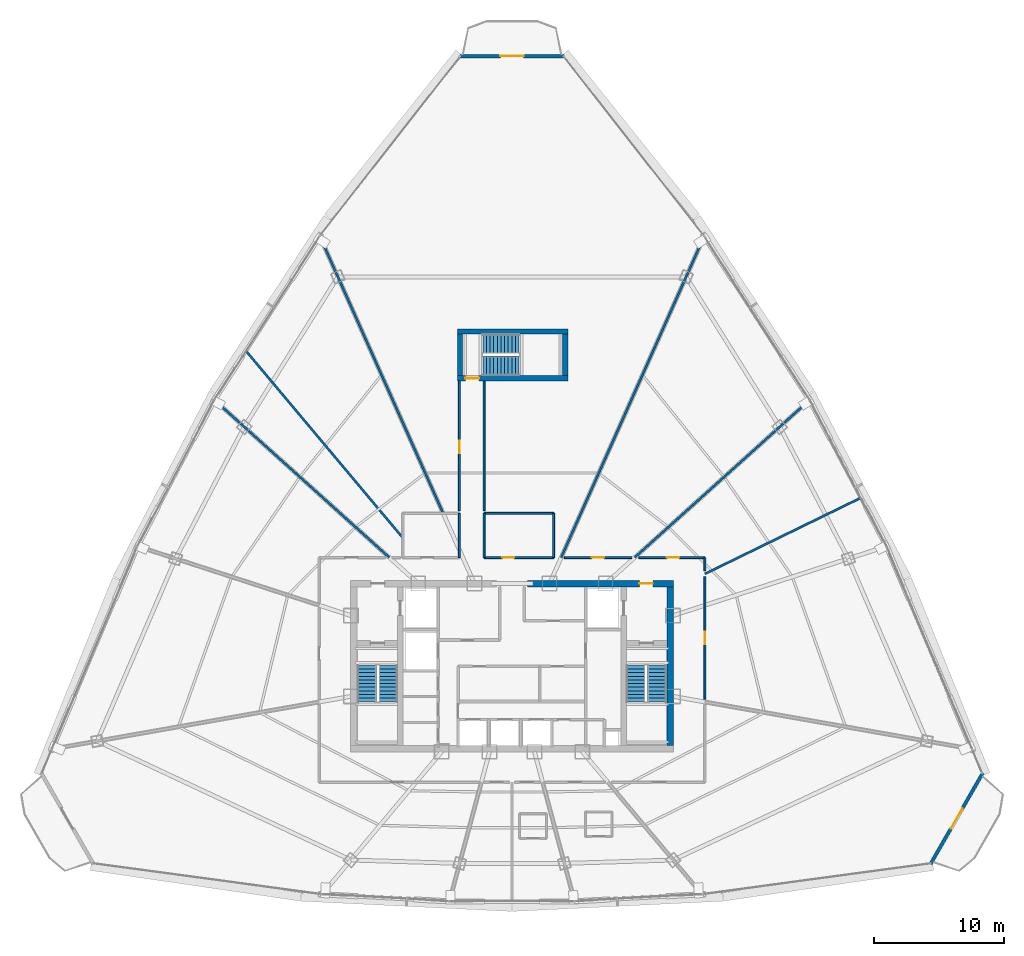
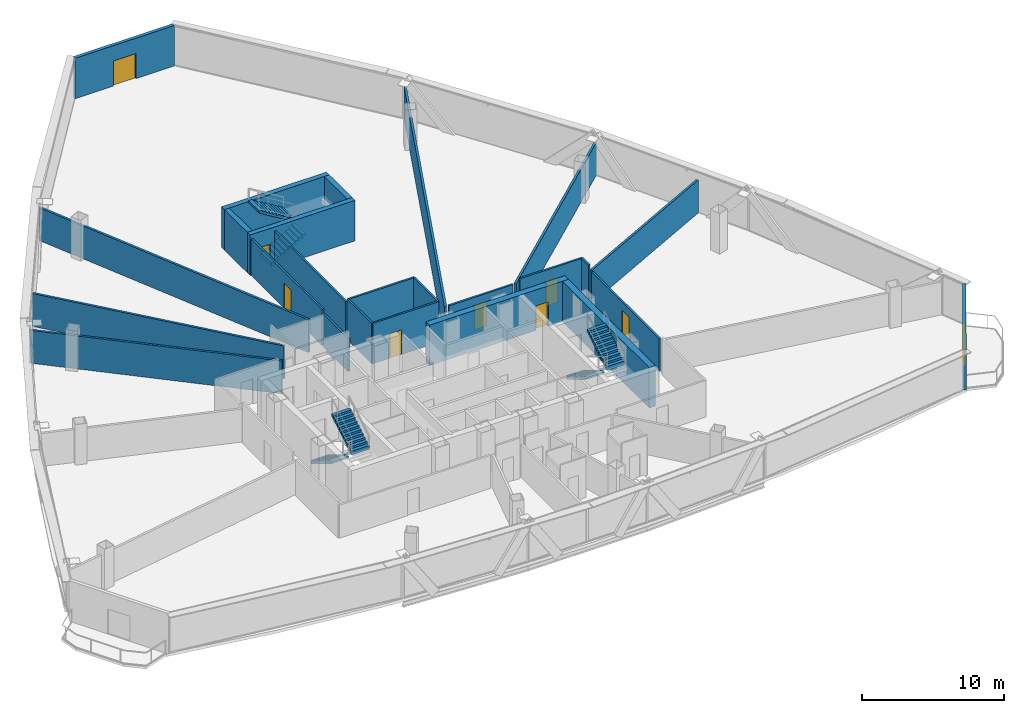
# One storey, part 30 of 35: 25 walls, 9 doors, 6 stair flights, 9 openings, 3 elements without a shape of their own.
"""IFC4 building model written with IfcOpenShell, lengths in metres."""

from ifc_helpers import new_model, si_unit, direction, frame, frame_2d, origin, origin_with_axes, place, context, subcontext, project, spatial, polyline, rectangle, outline, extrude, source, transform, mapped, material, layer, layer_set, type_object, element, fill, aggregate, save


model = new_model("IFC4")

# Units and contexts
model_context = context("Model", 3, precision=1e-05, world=origin(), true_north=direction((0.0, 1.0)))
body_context = subcontext(model_context, "Body", "Model", "MODEL_VIEW")
ifc_project = project(units=[si_unit("LENGTHUNIT", "METRE"), si_unit("AREAUNIT", "SQUARE_METRE"), si_unit("VOLUMEUNIT", "CUBIC_METRE"), si_unit("PLANEANGLEUNIT", "RADIAN"), si_unit("MASSUNIT", "GRAM", prefix="KILO"), si_unit("THERMODYNAMICTEMPERATUREUNIT", "KELVIN"), si_unit("POWERUNIT", "WATT")], contexts=[model_context])

# Site, building, storey
site_placement = place(None, origin())
site = spatial("IfcSite", under=ifc_project, at=site_placement, CompositionType="ELEMENT")
building_placement = place(site_placement, origin())
building = spatial("IfcBuilding", under=site, at=building_placement, Name="Yunzhuo Pagoda Commons", CompositionType="ELEMENT")
storey_placement = place(building_placement, frame((0.0, 0.0, 237.070068359375)))
storey = spatial("IfcBuildingStorey", under=building, at=storey_placement, Name="L59", CompositionType="ELEMENT", Elevation=237.070068359375)

# Wall, opening, door
ifc_material_1 = material(Name="Precast concrete C40", Category="concrete")
ifc_layer_1 = layer(ifc_material_1, 0.260009765625)
ifc_layer_set_1 = layer_set([ifc_layer_1], Name="Precast concrete C40")
wall_type_1 = type_object("IfcWallType", Name="W-BAL1 Corner Balcony Threshold Wall 260", PredefinedType="STANDARD", material=ifc_layer_set_1)
wall_1_placement = place(storey_placement, frame((80.22021484375, 18.607666015625, 0.0), z_axis=(0.0, 0.0, 1.0), x_axis=(0.49791595327, 0.867225289921, 0.0)))
wall_1 = element("IfcWall", 1, at=wall_1_placement, inside=storey, type_object=wall_type_1, Name="L59 corner balcony wall V2", PredefinedType="STANDARD", context=body_context, shape_type="SweptSolid", body=[
    extrude(rectangle(XDim=8.07373046875, YDim=0.260009765625, at=frame_2d((4.036865234375, 0.0))), origin(), (0.0, 0.0, 1.0), 3.469970703125),
])
opening_1_placement = place(wall_1_placement, frame((3.136962890625, 0.0, 0.0)))
opening_1 = element("IfcOpeningElement", 2, at=opening_1_placement, cuts=wall_1, Name="Opening D-BAL1", PredefinedType="OPENING", context=body_context, shape_type="SweptSolid", body=[
    extrude(rectangle(XDim=1.800048828125, YDim=2.14990234375, at=frame_2d((0.89990234375, 1.074951171875))), frame((0.0, 0.14013671875, 0.0), z_axis=(0.0, -1.0, 0.0), x_axis=(1.0, 0.0, 0.0)), (0.0, 0.0, 1.0), 0.280029296875),
])
ifc_material_2 = material(Name="Anodized aluminium frame and tempered glazed leaf", Category="aluminium")
door_type_1 = type_object("IfcDoorType", Name="D-BAL1 Corner Balcony Sliding Glazed Door 1800x2150", OperationType="DOUBLE_DOOR_SLIDING", PredefinedType="DOOR", material=ifc_material_2)
shared_shape_1 = source(origin(), body_context, "Body", "SweptSolid", [
    extrude(rectangle(XDim=1.800048828125, YDim=2.14990234375, at=frame_2d((0.89990234375, 1.074951171875))), frame((0.0, 0.02490234375, 0.0), z_axis=(0.0, -1.0, 0.0), x_axis=(1.0, 0.0, 0.0)), (0.0, 0.0, 1.0), 0.050048828125),
])
door_1_placement = place(opening_1_placement, origin_with_axes())
door_1 = element("IfcDoor", 3, at=door_1_placement, inside=storey, type_object=door_type_1, Name="L59 corner balcony sliding door V2", OperationType="DOUBLE_DOOR_SLIDING", OverallHeight=2.14990234375, OverallWidth=1.800048828125, PredefinedType="DOOR", context=body_context, shape_type="MappedRepresentation", body=[
    mapped(shared_shape_1, transform((0.0, 0.0, 0.0), scale=1.0)),
])
fill(opening_1, door_1)

wall_2_placement = place(storey_placement, frame((52.020751953125, 80.802001953125, 0.0), z_axis=(0.0, 0.0, 1.0), x_axis=(-1.0, 0.0, 0.0)))
wall_2 = element("IfcWall", 4, at=wall_2_placement, inside=storey, type_object=wall_type_1, Name="L59 corner balcony wall V3", PredefinedType="STANDARD", context=body_context, shape_type="SweptSolid", body=[
    extrude(rectangle(XDim=8.04150390625, YDim=0.260009765625, at=frame_2d((4.020751953125, 0.0))), origin(), (0.0, 0.0, 1.0), 3.469970703125),
])
opening_2_placement = place(wall_2_placement, frame((3.120849609375, 0.0, 0.0)))
opening_2 = element("IfcOpeningElement", 5, at=opening_2_placement, cuts=wall_2, Name="Opening D-BAL1", PredefinedType="OPENING", context=body_context, shape_type="SweptSolid", body=[
    extrude(rectangle(XDim=1.800048828125, YDim=2.14990234375, at=frame_2d((0.89990234375, 1.074951171875))), frame((0.0, 0.14013671875, 0.0), z_axis=(0.0, -1.0, 0.0), x_axis=(1.0, 0.0, 0.0)), (0.0, 0.0, 1.0), 0.280029296875),
])
door_2_placement = place(opening_2_placement, origin_with_axes())
door_2 = element("IfcDoor", 6, at=door_2_placement, inside=storey, type_object=door_type_1, Name="L59 corner balcony sliding door V3", OperationType="DOUBLE_DOOR_SLIDING", OverallHeight=2.14990234375, OverallWidth=1.800048828125, PredefinedType="DOOR", context=body_context, shape_type="MappedRepresentation", body=[
    mapped(shared_shape_1, transform((0.0, 0.0, 0.0), scale=1.0)),
])
fill(opening_2, door_2)

ifc_material_3 = material(Name="Concrete C50", Category="concrete")
ifc_layer_2 = layer(ifc_material_3, 0.5)
ifc_layer_set_2 = layer_set([ifc_layer_2], Name="Concrete C50")
wall_type_2 = type_object("IfcWallType", Name="W-C03 Upper Core Shear Wall 500", PredefinedType="SHEAR", material=ifc_layer_set_2)
wall_3_placement = place(storey_placement, frame((49.199951171875, 40.199951171875, 0.0), z_axis=(0.0, 0.0, 1.0), x_axis=(1.0, 0.0, 0.0)))
wall_3 = element("IfcWall", 7, at=wall_3_placement, inside=storey, type_object=wall_type_2, Name="L59 core shear wall NE", PredefinedType="SHEAR", context=body_context, shape_type="SweptSolid", body=[
    extrude(rectangle(XDim=11.25, YDim=0.5, at=frame_2d((5.625, 0.0))), origin(), (0.0, 0.0, 1.0), 3.469970703125),
])
opening_3_placement = place(wall_3_placement, frame((8.60009765625, 0.0, 0.0)))
opening_3 = element("IfcOpeningElement", 8, at=opening_3_placement, cuts=wall_3, Name="Opening D-02", PredefinedType="OPENING", context=body_context, shape_type="SweptSolid", body=[
    extrude(rectangle(XDim=1.050048828125, YDim=2.10009765625, at=frame_2d((0.52490234375, 1.050048828125))), frame((0.0, 0.260009765625, 0.0), z_axis=(0.0, -1.0, 0.0), x_axis=(1.0, 0.0, 0.0)), (0.0, 0.0, 1.0), 0.52001953125),
])
ifc_material_4 = material(Name="Galvanized fire-resisting metal leaf")
door_type_2 = type_object("IfcDoorType", Name="D-02 Firefighting Lobby & Refuge Fire Door 1050x2100", OperationType="NOTDEFINED", PredefinedType="DOOR", material=ifc_material_4)
shared_shape_2 = source(origin(), body_context, "Body", "SweptSolid", [
    extrude(rectangle(XDim=1.050048828125, YDim=2.10009765625, at=frame_2d((0.52490234375, 1.050048828125))), frame((0.0, 0.02490234375, 0.0), z_axis=(0.0, -1.0, 0.0), x_axis=(1.0, 0.0, 0.0)), (0.0, 0.0, 1.0), 0.050048828125),
])
door_3_placement = place(opening_3_placement, frame((1.050048828125, 0.0, 0.0), z_axis=(0.0, 0.0, 1.0), x_axis=(-1.0, 0.0, 0.0)))
door_3 = element("IfcDoor", 9, at=door_3_placement, inside=storey, type_object=door_type_2, Name="L59 Firefighting Lobby 2 fire door", OperationType="SINGLE_SWING_RIGHT", OverallHeight=2.10009765625, OverallWidth=1.050048828125, PredefinedType="DOOR", context=body_context, shape_type="MappedRepresentation", body=[
    mapped(shared_shape_2, transform((0.0, 0.0, 0.0), scale=1.0)),
])
fill(opening_3, door_3)

# Walls
wall_4_placement = place(storey_placement, frame((60.199951171875, 27.75, 0.0), z_axis=(0.0, 0.0, 1.0), x_axis=(0.0, 1.0, 0.0)))
element("IfcWall", 10, at=wall_4_placement, inside=storey, type_object=wall_type_2, Name="L59 core shear wall E", PredefinedType="SHEAR", context=body_context, shape_type="SweptSolid", body=[
    extrude(rectangle(XDim=12.199951171875, YDim=0.5, at=frame_2d((6.10009765625, 0.0))), origin(), (0.0, 0.0, 1.0), 3.469970703125),
])
ifc_material_5 = material(Name="Gypsum plasterboard on acoustic stud")
ifc_layer_3 = layer(ifc_material_5, 0.14990234375)
ifc_layer_set_3 = layer_set([ifc_layer_3], Name="Gypsum plasterboard on acoustic stud")
wall_type_3 = type_object("IfcWallType", Name="W-COR3 High-Zone Rated Corridor Wall 150", PredefinedType="PARTITIONING", material=ifc_layer_set_3)
wall_5_placement = place(storey_placement, frame((43.949951171875, 42.199951171875, 0.0), z_axis=(0.0, 0.0, 1.0), x_axis=(0.0, 1.0, 0.0)))
element("IfcWall", 11, at=wall_5_placement, inside=storey, type_object=wall_type_3, Name="L59 interior wall IW-L59-TFWE", PredefinedType="PARTITIONING", context=body_context, shape_type="SweptSolid", body=[
    extrude(rectangle(XDim=3.400146484375, YDim=0.14990234375, at=frame_2d((1.7001953125, 0.0))), origin(), (0.0, 0.0, 1.0), 2.81982421875),
])

# Wall, opening, door
wall_6_placement = place(storey_placement, frame((45.85009765625, 42.199951171875, 0.0), z_axis=(0.0, 0.0, 1.0), x_axis=(1.0, 0.0, 0.0)))
wall_6 = element("IfcWall", 12, at=wall_6_placement, inside=storey, type_object=wall_type_3, Name="L59 interior wall IW-L59-TFES", PredefinedType="PARTITIONING", context=body_context, shape_type="SweptSolid", body=[
    extrude(rectangle(XDim=5.349853515625, YDim=0.14990234375, at=frame_2d((2.6748046875, 0.0))), origin(), (0.0, 0.0, 1.0), 3.469970703125),
])
opening_4_placement = place(wall_6_placement, frame((1.39990234375, 0.0, 0.0)))
opening_4 = element("IfcOpeningElement", 13, at=opening_4_placement, cuts=wall_6, Name="Opening D-11", PredefinedType="OPENING", context=body_context, shape_type="SweptSolid", body=[
    extrude(rectangle(XDim=0.93994140625, YDim=2.10009765625, at=frame_2d((0.469970703125, 1.050048828125))), frame((0.0, 0.0849609375, 0.0), z_axis=(0.0, -1.0, 0.0), x_axis=(1.0, 0.0, 0.0)), (0.0, 0.0, 1.0), 0.169921875),
])
door_type_3 = type_object("IfcDoorType", Name="D-11 Accessible Washroom Fire Door 940x2100", OperationType="NOTDEFINED", PredefinedType="DOOR", material=ifc_material_4)
shared_shape_3 = source(origin(), body_context, "Body", "SweptSolid", [
    extrude(rectangle(XDim=0.93994140625, YDim=2.10009765625, at=frame_2d((0.469970703125, 1.050048828125))), frame((0.0, 0.02490234375, 0.0), z_axis=(0.0, -1.0, 0.0), x_axis=(1.0, 0.0, 0.0)), (0.0, 0.0, 1.0), 0.050048828125),
])
door_4_placement = place(opening_4_placement, frame((0.93994140625, 0.0, 0.0), z_axis=(0.0, 0.0, 1.0), x_axis=(-1.0, 0.0, 0.0)))
door_4 = element("IfcDoor", 14, at=door_4_placement, inside=storey, type_object=door_type_3, Name="L59 accessible WC door", OperationType="SINGLE_SWING_RIGHT", OverallHeight=2.10009765625, OverallWidth=0.93994140625, PredefinedType="DOOR", context=body_context, shape_type="MappedRepresentation", body=[
    mapped(shared_shape_3, transform((0.0, 0.0, 0.0), scale=1.0)),
])
fill(opening_4, door_4)

# Walls
wall_7_placement = place(storey_placement, frame((45.85009765625, 45.60009765625, 0.0), z_axis=(0.0, 0.0, 1.0), x_axis=(1.0, 0.0, 0.0)))
element("IfcWall", 15, at=wall_7_placement, inside=storey, type_object=wall_type_3, Name="L59 interior wall IW-L59-TFEN", PredefinedType="PARTITIONING", context=body_context, shape_type="SweptSolid", body=[
    extrude(rectangle(XDim=5.349853515625, YDim=0.14990234375, at=frame_2d((2.6748046875, 0.0))), origin(), (0.0, 0.0, 1.0), 3.469970703125),
])
for number, where, z_axis, x_axis, name in (
    (16, (45.85009765625, 42.199951171875, 0.0), (0.0, 0.0, 1.0), (0.0, 1.0, 0.0), "L59 interior wall IW-L59-TFEW"),
    (17, (51.199951171875, 42.199951171875, 0.0), (0.0, 0.0, 1.0), (0.0, 1.0, 0.0), "L59 interior wall IW-L59-TFEE"),
):
    element("IfcWall", number, at=place(storey_placement, frame(where, z_axis=z_axis, x_axis=x_axis)), inside=storey, type_object=wall_type_3, Name=name, PredefinedType="PARTITIONING", context=body_context, shape_type="SweptSolid", body=[
        extrude(rectangle(XDim=3.400146484375, YDim=0.14990234375, at=frame_2d((1.7001953125, 0.0))), origin(), (0.0, 0.0, 1.0), 3.469970703125),
    ])

# Wall, opening, door
wall_8_placement = place(storey_placement, frame((43.949951171875, 45.820068359375, 0.0), z_axis=(0.0, 0.0, 1.0), x_axis=(0.0, 1.0, 0.0)))
wall_8 = element("IfcWall", 18, at=wall_8_placement, inside=storey, type_object=wall_type_3, Name="L59 interior wall IW-L59-CWL06", PredefinedType="PARTITIONING", context=body_context, shape_type="SweptSolid", body=[
    extrude(rectangle(XDim=9.9599609375, YDim=0.14990234375, at=frame_2d((4.97998046875, 0.0))), origin(), (0.0, 0.0, 1.0), 3.119873046875),
])
opening_5_placement = place(wall_8_placement, frame((4.39501953125, 0.0, 0.0)))
opening_5 = element("IfcOpeningElement", 19, at=opening_5_placement, cuts=wall_8, Name="Opening D-08", PredefinedType="OPENING", context=body_context, shape_type="SweptSolid", body=[
    extrude(rectangle(XDim=0.97998046875, YDim=2.1201171875, at=frame_2d((0.489990234375, 1.06005859375))), frame((0.0, 0.0849609375, 0.0), z_axis=(0.0, -1.0, 0.0), x_axis=(1.0, 0.0, 0.0)), (0.0, 0.0, 1.0), 0.169921875),
])
door_type_4 = type_object("IfcDoorType", Name="D-08 High-Zone Suite Entrance Fire Door 980x2120", OperationType="NOTDEFINED", PredefinedType="DOOR", material=ifc_material_4)
shared_shape_4 = source(origin(), body_context, "Body", "SweptSolid", [
    extrude(rectangle(XDim=0.97998046875, YDim=2.1201171875, at=frame_2d((0.489990234375, 1.06005859375))), frame((0.0, 0.02490234375, 0.0), z_axis=(0.0, -1.0, 0.0), x_axis=(1.0, 0.0, 0.0)), (0.0, 0.0, 1.0), 0.050048828125),
])
door_5_placement = place(opening_5_placement, origin_with_axes())
door_5 = element("IfcDoor", 20, at=door_5_placement, inside=storey, type_object=door_type_4, Name="L59 unit 04 entrance door", OperationType="SINGLE_SWING_RIGHT", OverallHeight=2.1201171875, OverallWidth=0.97998046875, PredefinedType="DOOR", context=body_context, shape_type="MappedRepresentation", body=[
    mapped(shared_shape_4, transform((0.0, 0.0, 0.0), scale=1.0)),
])
fill(opening_5, door_5)

# Wall
wall_9_placement = place(storey_placement, frame((45.85009765625, 55.780029296875, 0.0), z_axis=(0.0, 0.0, 1.0), x_axis=(0.0, -1.0, 0.0)))
element("IfcWall", 21, at=wall_9_placement, inside=storey, type_object=wall_type_3, Name="L59 interior wall IW-L59-CWL07", PredefinedType="PARTITIONING", context=body_context, shape_type="SweptSolid", body=[
    extrude(rectangle(XDim=9.9599609375, YDim=0.14990234375, at=frame_2d((4.97998046875, 0.0))), origin(), (0.0, 0.0, 1.0), 3.119873046875),
])

# Wall, opening, door
wall_10_placement = place(storey_placement, frame((52.025146484375, 42.199951171875, 0.0), z_axis=(0.0, 0.0, 1.0), x_axis=(1.0, 0.0, 0.0)))
wall_10 = element("IfcWall", 22, at=wall_10_placement, inside=storey, type_object=wall_type_3, Name="L59 interior wall IW-L59-CWL08", PredefinedType="PARTITIONING", context=body_context, shape_type="SweptSolid", body=[
    extrude(rectangle(XDim=5.1953125, YDim=0.14990234375, at=frame_2d((2.59765625, 0.0))), origin(), (0.0, 0.0, 1.0), 2.81982421875),
])
opening_6_placement = place(wall_10_placement, frame((2.112060546875, 0.0, 0.0)))
opening_6 = element("IfcOpeningElement", 23, at=opening_6_placement, cuts=wall_10, Name="Opening D-08", PredefinedType="OPENING", context=body_context, shape_type="SweptSolid", body=[
    extrude(rectangle(XDim=0.97998046875, YDim=2.1201171875, at=frame_2d((0.489990234375, 1.06005859375))), frame((0.0, 0.0849609375, 0.0), z_axis=(0.0, -1.0, 0.0), x_axis=(1.0, 0.0, 0.0)), (0.0, 0.0, 1.0), 0.169921875),
])
door_6_placement = place(opening_6_placement, origin_with_axes())
door_6 = element("IfcDoor", 24, at=door_6_placement, inside=storey, type_object=door_type_4, Name="L59 unit 03 entrance door", OperationType="SINGLE_SWING_LEFT", OverallHeight=2.1201171875, OverallWidth=0.97998046875, PredefinedType="DOOR", context=body_context, shape_type="MappedRepresentation", body=[
    mapped(shared_shape_4, transform((0.0, 0.0, 0.0), scale=1.0)),
])
fill(opening_6, door_6)

wall_11_placement = place(storey_placement, frame((57.76904296875, 42.199951171875, 0.0), z_axis=(0.0, 0.0, 1.0), x_axis=(1.0, 0.0, 0.0)))
wall_11 = element("IfcWall", 25, at=wall_11_placement, inside=storey, type_object=wall_type_3, Name="L59 interior wall IW-L59-CWL09", PredefinedType="PARTITIONING", context=body_context, shape_type="SweptSolid", body=[
    extrude(rectangle(XDim=5.0810546875, YDim=0.14990234375, at=frame_2d((2.54052734375, 0.0))), origin(), (0.0, 0.0, 1.0), 3.119873046875),
])
opening_7_placement = place(wall_11_placement, frame((2.131103515625, 0.0, 0.0)))
opening_7 = element("IfcOpeningElement", 26, at=opening_7_placement, cuts=wall_11, Name="Opening D-08", PredefinedType="OPENING", context=body_context, shape_type="SweptSolid", body=[
    extrude(rectangle(XDim=0.97998046875, YDim=2.1201171875, at=frame_2d((0.489990234375, 1.06005859375))), frame((0.0, 0.0849609375, 0.0), z_axis=(0.0, -1.0, 0.0), x_axis=(1.0, 0.0, 0.0)), (0.0, 0.0, 1.0), 0.169921875),
])
door_7_placement = place(opening_7_placement, origin_with_axes())
door_7 = element("IfcDoor", 27, at=door_7_placement, inside=storey, type_object=door_type_4, Name="L59 unit 02 entrance door", OperationType="SINGLE_SWING_RIGHT", OverallHeight=2.1201171875, OverallWidth=0.97998046875, PredefinedType="DOOR", context=body_context, shape_type="MappedRepresentation", body=[
    mapped(shared_shape_4, transform((0.0, 0.0, 0.0), scale=1.0)),
])
fill(opening_7, door_7)

# Wall
wall_12_placement = place(storey_placement, frame((62.85009765625, 42.199951171875, 0.0), z_axis=(0.0, 0.0, 1.0), x_axis=(0.0, -1.0, 0.0)))
element("IfcWall", 28, at=wall_12_placement, inside=storey, type_object=wall_type_3, Name="L59 interior wall IW-L59-CWL10", PredefinedType="PARTITIONING", context=body_context, shape_type="SweptSolid", body=[
    extrude(rectangle(XDim=1.012451171875, YDim=0.14990234375, at=frame_2d((0.50634765625, 0.0))), origin(), (0.0, 0.0, 1.0), 3.119873046875),
])

# Wall, opening, door
wall_13_placement = place(storey_placement, frame((62.85009765625, 40.722900390625, 0.0), z_axis=(0.0, 0.0, 1.0), x_axis=(0.0, -1.0, 0.0)))
wall_13 = element("IfcWall", 29, at=wall_13_placement, inside=storey, type_object=wall_type_3, Name="L59 interior wall IW-L59-CWL11", PredefinedType="PARTITIONING", context=body_context, shape_type="SweptSolid", body=[
    extrude(rectangle(XDim=9.421630859375, YDim=0.14990234375, at=frame_2d((4.7109375, 0.0))), origin(), (0.0, 0.0, 1.0), 2.81982421875),
])
opening_8_placement = place(wall_13_placement, frame((4.23583984375, 0.0, 0.0)))
opening_8 = element("IfcOpeningElement", 30, at=opening_8_placement, cuts=wall_13, Name="Opening D-08", PredefinedType="OPENING", context=body_context, shape_type="SweptSolid", body=[
    extrude(rectangle(XDim=0.97998046875, YDim=2.1201171875, at=frame_2d((0.489990234375, 1.06005859375))), frame((0.0, 0.0849609375, 0.0), z_axis=(0.0, -1.0, 0.0), x_axis=(1.0, 0.0, 0.0)), (0.0, 0.0, 1.0), 0.169921875),
])
door_8_placement = place(opening_8_placement, origin_with_axes())
door_8 = element("IfcDoor", 31, at=door_8_placement, inside=storey, type_object=door_type_4, Name="L59 Shared Resident Kitchen and Pantry door", OperationType="SINGLE_SWING_LEFT", OverallHeight=2.1201171875, OverallWidth=0.97998046875, PredefinedType="DOOR", context=body_context, shape_type="MappedRepresentation", body=[
    mapped(shared_shape_4, transform((0.0, 0.0, 0.0), scale=1.0)),
])
fill(opening_8, door_8)

# Walls
ifc_layer_4 = layer(ifc_material_5, 0.169921875)
ifc_layer_set_4 = layer_set([ifc_layer_4], Name="Gypsum plasterboard on acoustic stud")
wall_type_4 = type_object("IfcWallType", Name="W-PRT4 High-Zone Demising Wall 170", PredefinedType="PARTITIONING", material=ifc_layer_set_4)
wall_14_placement = place(storey_placement, frame((62.85009765625, 40.94287109375, 0.0), z_axis=(0.0, 0.0, 1.0), x_axis=(0.89879807188, 0.438362893029, 0.0)))
element("IfcWall", 32, at=wall_14_placement, inside=storey, type_object=wall_type_4, Name="L59 interior wall IW-L59-RAD01", PredefinedType="PARTITIONING", context=body_context, shape_type="SweptSolid", body=[
    extrude(rectangle(XDim=13.3837890625, YDim=0.169921875, at=frame_2d((6.69189453125, 0.0))), origin(), (0.0, 0.0, 1.0), 2.81982421875),
])
wall_15_placement = place(storey_placement, frame((57.440185546875, 42.199951171875, 0.0), z_axis=(0.0, 0.0, 1.0), x_axis=(0.743147575456, 0.669127552185, 0.0)))
element("IfcWall", 33, at=wall_15_placement, inside=storey, type_object=wall_type_4, Name="L59 interior wall IW-L59-RAD02", PredefinedType="PARTITIONING", context=body_context, shape_type="SweptSolid", body=[
    extrude(rectangle(XDim=18.140625, YDim=0.169921875, at=frame_2d((9.0703125, 0.0))), origin(), (0.0, 0.0, 1.0), 2.81982421875),
])
wall_16_placement = place(storey_placement, frame((51.784423828125, 42.199951171875, 0.0), z_axis=(0.0, 0.0, 1.0), x_axis=(0.406737084028, 0.913545261318, 0.0)))
element("IfcWall", 34, at=wall_16_placement, inside=storey, type_object=wall_type_4, Name="L59 interior wall IW-L59-RAD03", PredefinedType="PARTITIONING", context=body_context, shape_type="SweptSolid", body=[
    extrude(rectangle(XDim=27.090087890625, YDim=0.169921875, at=frame_2d((13.544921875, 0.0))), origin(), (0.0, 0.0, 1.0), 2.81982421875),
])
wall_17_placement = place(storey_placement, frame((42.701904296875, 45.60009765625, 0.0), z_axis=(0.0, 0.0, 1.0), x_axis=(-0.406743256781, 0.913542513003, 0.0)))
element("IfcWall", 35, at=wall_17_placement, inside=storey, type_object=wall_type_4, Name="L59 interior wall IW-L59-RAD04", PredefinedType="PARTITIONING", context=body_context, shape_type="SweptSolid", body=[
    extrude(rectangle(XDim=23.3681640625, YDim=0.169921875, at=frame_2d((11.68408203125, 0.0))), origin(), (0.0, 0.0, 1.0), 2.81982421875),
])
wall_18_placement = place(storey_placement, frame((39.60009765625, 43.710693359375, 0.0), z_axis=(0.0, 0.0, 1.0), x_axis=(-0.642791950905, 0.766040800383, 0.0)))
element("IfcWall", 36, at=wall_18_placement, inside=storey, type_object=wall_type_4, Name="L59 interior wall IW-L59-RAD05", PredefinedType="PARTITIONING", context=body_context, shape_type="SweptSolid", body=[
    extrude(rectangle(XDim=18.806396484375, YDim=0.169921875, at=frame_2d((9.4033203125, 0.0))), origin(), (0.0, 0.0, 1.0), 2.81982421875),
])
wall_19_placement = place(storey_placement, frame((38.559814453125, 42.199951171875, 0.0), z_axis=(0.0, 0.0, 1.0), x_axis=(-0.743147575456, 0.669127552185, 0.0)))
element("IfcWall", 37, at=wall_19_placement, inside=storey, type_object=wall_type_4, Name="L59 interior wall IW-L59-RAD06", PredefinedType="PARTITIONING", context=body_context, shape_type="SweptSolid", body=[
    extrude(rectangle(XDim=18.140625, YDim=0.169921875, at=frame_2d((9.0703125, 0.0))), origin(), (0.0, 0.0, 1.0), 2.81982421875),
])
ifc_material_6 = material(Name="Concrete C60", Category="concrete")
ifc_layer_5 = layer(ifc_material_6, 0.39990234375)
ifc_layer_set_5 = layer_set([ifc_layer_5], Name="Concrete C60")
wall_type_5 = type_object("IfcWallType", Name="W-S01 Internal Core Shear Web 400", PredefinedType="SHEAR", material=ifc_layer_set_5)
wall_20_placement = place(storey_placement, frame((43.800048828125, 59.60009765625, 0.0), z_axis=(0.0, 0.0, 1.0), x_axis=(1.0, 0.0, 0.0)))
element("IfcWall", 38, at=wall_20_placement, inside=storey, type_object=wall_type_5, Name="L59 ST3 structural stair wall N", PredefinedType="SHEAR", context=body_context, shape_type="SweptSolid", body=[
    extrude(rectangle(XDim=8.5, YDim=0.39990234375, at=frame_2d((4.25, 0.0))), origin(), (0.0, 0.0, 1.0), 3.469970703125),
])

# Wall, opening, door
wall_21_placement = place(storey_placement, frame((43.800048828125, 56.0, 0.0), z_axis=(0.0, 0.0, 1.0), x_axis=(1.0, 0.0, 0.0)))
wall_21 = element("IfcWall", 39, at=wall_21_placement, inside=storey, type_object=wall_type_5, Name="L59 ST3 structural stair wall S", PredefinedType="SHEAR", context=body_context, shape_type="SweptSolid", body=[
    extrude(rectangle(XDim=8.5, YDim=0.39990234375, at=frame_2d((4.25, 0.0))), origin(), (0.0, 0.0, 1.0), 3.469970703125),
])
opening_9_placement = place(wall_21_placement, frame((0.6201171875, 0.0, 0.0)))
opening_9 = element("IfcOpeningElement", 40, at=opening_9_placement, cuts=wall_21, Name="Opening D-01", PredefinedType="OPENING", context=body_context, shape_type="SweptSolid", body=[
    extrude(rectangle(XDim=1.050048828125, YDim=2.10009765625, at=frame_2d((0.52490234375, 1.050048828125))), frame((0.0, 0.2099609375, 0.0), z_axis=(0.0, -1.0, 0.0), x_axis=(1.0, 0.0, 0.0)), (0.0, 0.0, 1.0), 0.419921875),
])
door_type_5 = type_object("IfcDoorType", Name="D-01 Smokeproof Stair Fire Door 1050x2100", OperationType="NOTDEFINED", PredefinedType="DOOR", material=ifc_material_4)
door_9_placement = place(opening_9_placement, frame((1.050048828125, 0.0, 0.0), z_axis=(0.0, 0.0, 1.0), x_axis=(-1.0, 0.0, 0.0)))
door_9 = element("IfcDoor", 41, at=door_9_placement, inside=storey, type_object=door_type_5, Name="L59 Stair ST3 fire door", OperationType="SINGLE_SWING_LEFT", OverallHeight=2.10009765625, OverallWidth=1.050048828125, PredefinedType="DOOR", context=body_context, shape_type="MappedRepresentation", body=[
    mapped(shared_shape_2, transform((0.0, 0.0, 0.0), scale=1.0)),
])
fill(opening_9, door_9)

# Walls
for number, where, z_axis, x_axis, name in (
    (42, (44.0, 56.199951171875, 0.0), (0.0, 0.0, 1.0), (0.0, 1.0, 0.0), "L59 ST3 structural stair wall W"),
    (43, (52.10009765625, 56.199951171875, 0.0), (0.0, 0.0, 1.0), (0.0, 1.0, 0.0), "L59 ST3 structural stair wall E"),
):
    element("IfcWall", number, at=place(storey_placement, frame(where, z_axis=z_axis, x_axis=x_axis)), inside=storey, type_object=wall_type_5, Name=name, PredefinedType="SHEAR", context=body_context, shape_type="SweptSolid", body=[
        extrude(rectangle(XDim=3.199951171875, YDim=0.39990234375, at=frame_2d((1.60009765625, 0.0))), origin(), (0.0, 0.0, 1.0), 3.469970703125),
    ])

# Stair, stair flights
ifc_material_7 = material(Name="Concrete C40", Category="concrete")
stair_type_1 = type_object("IfcStairType", Name="ST-C1 Core Smokeproof Stair ST1", PredefinedType="HALF_TURN_STAIR", material=ifc_material_7)
stair_1_placement = place(storey_placement, origin())
stair_1 = element("IfcStair", 44, at=stair_1_placement, inside=storey, type_object=stair_type_1, Name="L59 Core smokeproof stair ST1", PredefinedType="HALF_TURN_STAIR")
stair_flight_type_1 = type_object("IfcStairFlightType", Name="STF-C1 Core Stair Flight 1450", PredefinedType="STRAIGHT", material=ifc_material_7)
shared_shape_5 = source(origin(), body_context, "Body", "SweptSolid", [
    extrude(outline(polyline([(0.0, -0.14990234375), (0.0, 0.0), (0.0, 0.16943359375), (0.280029296875, 0.16943359375), (0.280029296875, 0.339111328125), (0.56005859375, 0.339111328125), (0.56005859375, 0.508544921875), (0.840087890625, 0.508544921875), (0.840087890625, 0.67822265625), (1.1201171875, 0.67822265625), (1.1201171875, 0.84765625), (1.39990234375, 0.84765625), (1.39990234375, 1.017333984375), (1.679931640625, 1.017333984375), (1.679931640625, 1.186767578125), (1.9599609375, 1.186767578125), (1.9599609375, 1.3564453125), (2.239990234375, 1.3564453125), (2.239990234375, 1.52587890625), (2.52001953125, 1.52587890625), (2.52001953125, 1.695556640625), (2.800048828125, 1.695556640625), (2.800048828125, 1.864990234375), (2.800048828125, 1.520263671875), (0.289306640625, 0.0), (0.050048828125, -0.14990234375), (0.0, -0.14990234375)])), frame((0.0, 0.72509765625, 0.0), z_axis=(0.0, -1.0, 0.0), x_axis=(1.0, 0.0, 0.0)), (0.0, 0.0, 1.0), 1.449951171875),
])
stair_flight_1_placement = place(storey_placement, frame((36.824951171875, 33.89990234375, 0.0), z_axis=(0.0, 0.0, 1.0), x_axis=(0.0, -1.0, 0.0)))
stair_flight_1 = element("IfcStairFlight", 45, at=stair_flight_1_placement, type_object=stair_flight_type_1, Name="ST1 flight 1", NumberOfRisers=11, NumberOfTreads=10, PredefinedType="STRAIGHT", RiserHeight=0.169545455, TreadLength=0.28, context=body_context, shape_type="MappedRepresentation", body=[
    mapped(shared_shape_5, transform((0.0, 0.0, 0.0), scale=1.0)),
])
stair_flight_2_placement = place(storey_placement, frame((38.47509765625, 31.10009765625, 1.864990234375), z_axis=(0.0, 0.0, 1.0), x_axis=(0.0, 1.0, 0.0)))
stair_flight_2 = element("IfcStairFlight", 46, at=stair_flight_2_placement, type_object=stair_flight_type_1, Name="ST1 flight 2", NumberOfRisers=11, NumberOfTreads=10, PredefinedType="STRAIGHT", RiserHeight=0.169545455, TreadLength=0.28, context=body_context, shape_type="MappedRepresentation", body=[
    mapped(shared_shape_5, transform((0.0, 0.0, 0.0), scale=1.0)),
])
aggregate(stair_1, [stair_flight_1, stair_flight_2])

stair_type_2 = type_object("IfcStairType", Name="ST-C2 Core Smokeproof Stair ST2", PredefinedType="HALF_TURN_STAIR", material=ifc_material_7)
stair_2_placement = place(storey_placement, origin())
stair_2 = element("IfcStair", 47, at=stair_2_placement, inside=storey, type_object=stair_type_2, Name="L59 Core smokeproof stair ST2", PredefinedType="HALF_TURN_STAIR")
stair_flight_type_2 = type_object("IfcStairFlightType", Name="STF-C2 Core Stair Flight 1460", PredefinedType="STRAIGHT", material=ifc_material_7)
stair_flight_3_placement = place(storey_placement, frame((57.52490234375, 33.89990234375, 0.0), z_axis=(0.0, 0.0, 1.0), x_axis=(0.0, -1.0, 0.0)))
stair_flight_3 = element("IfcStairFlight", 48, at=stair_flight_3_placement, type_object=stair_flight_type_2, Name="ST2 flight 1", NumberOfRisers=11, NumberOfTreads=10, PredefinedType="STRAIGHT", RiserHeight=0.169545455, TreadLength=0.28, context=body_context, shape_type="MappedRepresentation", body=[
    mapped(shared_shape_5, transform((0.0, 0.0, 0.0), scale=1.0)),
])
stair_flight_4_placement = place(storey_placement, frame((59.175048828125, 31.10009765625, 1.864990234375), z_axis=(0.0, 0.0, 1.0), x_axis=(0.0, 1.0, 0.0)))
stair_flight_4 = element("IfcStairFlight", 49, at=stair_flight_4_placement, type_object=stair_flight_type_2, Name="ST2 flight 2", NumberOfRisers=11, NumberOfTreads=10, PredefinedType="STRAIGHT", RiserHeight=0.169545455, TreadLength=0.28, context=body_context, shape_type="MappedRepresentation", body=[
    mapped(shared_shape_5, transform((0.0, 0.0, 0.0), scale=1.0)),
])
aggregate(stair_2, [stair_flight_3, stair_flight_4])

stair_type_3 = type_object("IfcStairType", Name="ST-C3 North Tower Smokeproof Stair ST3", PredefinedType="HALF_TURN_STAIR", material=ifc_material_7)
stair_3_placement = place(storey_placement, origin())
stair_3 = element("IfcStair", 50, at=stair_3_placement, inside=storey, type_object=stair_type_3, Name="L59 North tower smokeproof stair ST3", PredefinedType="HALF_TURN_STAIR")
stair_flight_type_3 = type_object("IfcStairFlightType", Name="STF-C3 North Stair Flight 1500", PredefinedType="STRAIGHT", material=ifc_material_7)
shared_shape_6 = source(origin(), body_context, "Body", "SweptSolid", [
    extrude(outline(polyline([(0.0, -0.14990234375), (0.0, 0.0), (0.0, 0.16943359375), (0.280029296875, 0.16943359375), (0.280029296875, 0.339111328125), (0.56005859375, 0.339111328125), (0.56005859375, 0.508544921875), (0.840087890625, 0.508544921875), (0.840087890625, 0.67822265625), (1.1201171875, 0.67822265625), (1.1201171875, 0.84765625), (1.39990234375, 0.84765625), (1.39990234375, 1.017333984375), (1.679931640625, 1.017333984375), (1.679931640625, 1.186767578125), (1.9599609375, 1.186767578125), (1.9599609375, 1.3564453125), (2.239990234375, 1.3564453125), (2.239990234375, 1.52587890625), (2.52001953125, 1.52587890625), (2.52001953125, 1.695556640625), (2.800048828125, 1.695556640625), (2.800048828125, 1.864990234375), (2.800048828125, 1.520263671875), (0.289306640625, 0.0), (0.050048828125, -0.14990234375), (0.0, -0.14990234375)])), frame((0.0, 0.75, 0.0), z_axis=(0.0, -1.0, 0.0), x_axis=(1.0, 0.0, 0.0)), (0.0, 0.0, 1.0), 1.5),
])
stair_flight_5_placement = place(storey_placement, frame((45.75, 56.949951171875, 0.0), z_axis=(0.0, 0.0, 1.0), x_axis=(1.0, 0.0, 0.0)))
stair_flight_5 = element("IfcStairFlight", 51, at=stair_flight_5_placement, type_object=stair_flight_type_3, Name="ST3 flight 1", NumberOfRisers=11, NumberOfTreads=10, PredefinedType="STRAIGHT", RiserHeight=0.169545455, TreadLength=0.28, context=body_context, shape_type="MappedRepresentation", body=[
    mapped(shared_shape_6, transform((0.0, 0.0, 0.0), scale=1.0)),
])
stair_flight_6_placement = place(storey_placement, frame((48.550048828125, 58.64990234375, 1.864990234375), z_axis=(0.0, 0.0, 1.0), x_axis=(-1.0, 0.0, 0.0)))
stair_flight_6 = element("IfcStairFlight", 52, at=stair_flight_6_placement, type_object=stair_flight_type_3, Name="ST3 flight 2", NumberOfRisers=11, NumberOfTreads=10, PredefinedType="STRAIGHT", RiserHeight=0.169545455, TreadLength=0.28, context=body_context, shape_type="MappedRepresentation", body=[
    mapped(shared_shape_6, transform((0.0, 0.0, 0.0), scale=1.0)),
])
aggregate(stair_3, [stair_flight_5, stair_flight_6])

save(model, "model.ifc")
